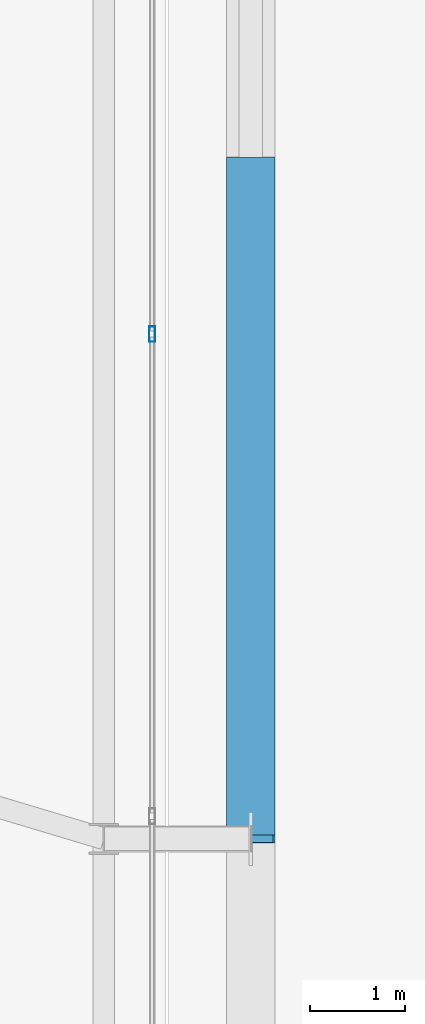
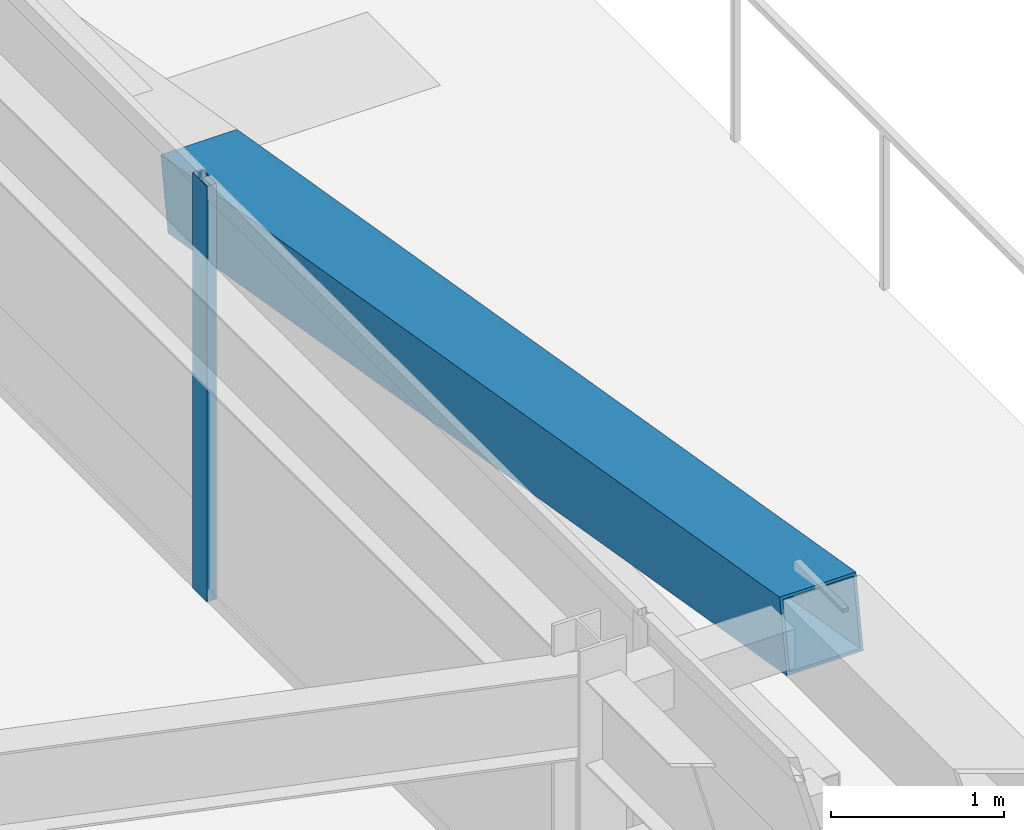
# One storey, part 36 of 56: 2 members, 1 element without a shape of its own.
"""IFC4 building model written with IfcOpenShell, lengths in metres."""

import ifcopenshell
import ifcopenshell.guid

model = None  # the IFC model being written
_history = None  # IfcOwnerHistory: only IFC2X3 demands one
_inside = {}  # id of a spatial element -> (the spatial element, [elements in it])
_under = {}  # id of a project, library or spatial element -> (it, [spatial elements below it])
_declared = {}  # id of a project -> (the project, [libraries it declares])
_typed = {}  # id of a type object -> (the type object, [elements of that type])
_made_of = {}  # id of a material, layer set ... -> (it, [elements and type objects made of it])


def new_model(schema):
    """Start an empty IFC model of exactly this schema.

    Asked for "IFC4X3", IfcOpenShell would pick the latest addendum, in which some entities
    have other attributes; the version numbers below select the first issue.
    IFC2X3 requires an IfcOwnerHistory on every rooted entity: one is made here for all.
    """
    global model, _history
    if schema == "IFC4X3":
        model = ifcopenshell.file(schema_version=(4, 3, 0, 0))
    else:
        model = ifcopenshell.file(schema=schema)
    _inside.clear()
    _under.clear()
    _declared.clear()
    _typed.clear()
    _made_of.clear()
    _history = None
    if model.schema == "IFC2X3":
        org = make("IfcOrganization", Name="unknown")
        user = make(
            "IfcPersonAndOrganization",
            ThePerson=make("IfcPerson", FamilyName="unknown"),
            TheOrganization=org,
        )
        app = make(
            "IfcApplication",
            ApplicationDeveloper=org,
            Version="unknown",
            ApplicationFullName="unknown",
            ApplicationIdentifier="unknown",
        )
        _history = make(
            "IfcOwnerHistory",
            OwningUser=user,
            OwningApplication=app,
            ChangeAction="ADDED",
            CreationDate=0,
        )
    return model


def make(cls, **values):
    """One entity of the class cls with the attributes given. An attribute that is None is left unset."""
    return model.create_entity(
        cls, **{name: value for name, value in values.items() if value is not None}
    )


def rooted(cls, **values):
    """An entity with a GlobalId (a new one), such as an element, a storey or a relation."""
    return make(cls, GlobalId=ifcopenshell.guid.new(), OwnerHistory=_history, **values)


def si_unit(unit_type, name, prefix=None):
    """IfcSIUnit, for example si_unit("LENGTHUNIT", "METRE", prefix="MILLI")."""
    return make("IfcSIUnit", UnitType=unit_type, Prefix=prefix, Name=name)


def assignment(units):
    """IfcUnitAssignment: the units of a project."""
    return None if units is None else make("IfcUnitAssignment", Units=units)


def point(xyz):
    """IfcCartesianPoint."""
    return None if xyz is None else make("IfcCartesianPoint", Coordinates=xyz)


def direction(xyz):
    """IfcDirection."""
    return None if xyz is None else make("IfcDirection", DirectionRatios=xyz)


def frame(location, z_axis=None, x_axis=None):
    """IfcAxis2Placement3D, a coordinate frame: its origin and axes. An axis left out is left unset."""
    return make(
        "IfcAxis2Placement3D",
        Location=point(location),
        Axis=direction(z_axis),
        RefDirection=direction(x_axis),
    )


def frame_2d(location, x_axis=None):
    """IfcAxis2Placement2D, a coordinate frame in the plane: its origin and x axis."""
    return make(
        "IfcAxis2Placement2D", Location=point(location), RefDirection=direction(x_axis)
    )


def origin():
    """The frame at (0, 0, 0) with its axes left unset."""
    return frame((0.0, 0.0, 0.0))


def origin_2d():
    """The frame at (0, 0) in the plane with its x axis left unset."""
    return frame_2d((0.0, 0.0))


def place(relative_to, where):
    """IfcLocalPlacement: puts the frame where relative to a parent placement (None: the world)."""
    return make(
        "IfcLocalPlacement", PlacementRelTo=relative_to, RelativePlacement=where
    )


def context(
    kind, dimensions, precision=None, world=None, true_north=None, identifier=None
):
    """IfcGeometricRepresentationContext, for example the 3D "Model" context."""
    return make(
        "IfcGeometricRepresentationContext",
        ContextIdentifier=identifier,
        ContextType=kind,
        CoordinateSpaceDimension=dimensions,
        Precision=precision,
        WorldCoordinateSystem=world,
        TrueNorth=true_north,
    )


def subcontext(parent, identifier, kind, view, scale=None):
    """IfcGeometricRepresentationSubContext, for example "Body" below "Model"."""
    return make(
        "IfcGeometricRepresentationSubContext",
        ContextIdentifier=identifier,
        ContextType=kind,
        ParentContext=parent,
        TargetScale=scale,
        TargetView=view,
    )


def project(units=None, contexts=None):
    """IfcProject with its units and contexts."""
    return rooted(
        "IfcProject",
        Name="project",
        RepresentationContexts=contexts,
        UnitsInContext=assignment(units),
    )


def spatial(cls, under=None, at=None, **own):
    """A site, building, storey or space (cls), placed at a placement, below another one or the project."""
    s = rooted(cls, ObjectPlacement=at, **own)
    if under is not None:
        _under.setdefault(under.id(), (under, []))[1].append(s)
    return s


def profile(cls, at=None, kind="AREA", **sizes):
    """A parametric profile (cls). Its sizes go by their IFC names, for example OverallWidth=200.0."""
    return make(cls, ProfileType=kind, Position=at, **sizes)


def hollow_rectangle(**sizes):
    """IfcRectangleHollowProfileDef."""
    return profile("IfcRectangleHollowProfileDef", **sizes)


def extrude(swept, where, along, depth):
    """IfcExtrudedAreaSolid: the profile swept, set in the frame where, extruded along a direction by depth."""
    return make(
        "IfcExtrudedAreaSolid",
        SweptArea=swept,
        Position=where,
        ExtrudedDirection=direction(along),
        Depth=depth,
    )


def shape(context_of_items, identifier, shape_type, items):
    """IfcShapeRepresentation: the items that make up one representation, for example the "Body"."""
    return make(
        "IfcShapeRepresentation",
        ContextOfItems=context_of_items,
        RepresentationIdentifier=identifier,
        RepresentationType=shape_type,
        Items=items,
    )


def source(mapping_origin, context_of_items, identifier, shape_type, items):
    """IfcRepresentationMap: a shape defined once, which mapped items show again and again."""
    return make(
        "IfcRepresentationMap",
        MappingOrigin=mapping_origin,
        MappedRepresentation=shape(context_of_items, identifier, shape_type, items),
    )


def transform(
    local_origin,
    x_axis=None,
    y_axis=None,
    z_axis=None,
    scale=None,
    scale2=None,
    scale3=None,
    uniform=True,
):
    """IfcCartesianTransformationOperator3D, or its non-uniform kind. x_axis, y_axis, z_axis: its Axis1, 2, 3."""
    if uniform:
        return make(
            "IfcCartesianTransformationOperator3D",
            Axis1=direction(x_axis),
            Axis2=direction(y_axis),
            LocalOrigin=point(local_origin),
            Scale=scale,
            Axis3=direction(z_axis),
        )
    return make(
        "IfcCartesianTransformationOperator3DnonUniform",
        Axis1=direction(x_axis),
        Axis2=direction(y_axis),
        LocalOrigin=point(local_origin),
        Scale=scale,
        Axis3=direction(z_axis),
        Scale2=scale2,
        Scale3=scale3,
    )


def mapped(mapping_source, mapping_target):
    """IfcMappedItem: shows the shape of a source again, moved by a transform."""
    return make(
        "IfcMappedItem", MappingSource=mapping_source, MappingTarget=mapping_target
    )


def material(Name=None, Category=None):
    """IfcMaterial."""
    return make("IfcMaterial", Name=Name, Category=Category)


def layer(
    of_material, thickness, ventilated=None, Name=None, Category=None, Priority=None
):
    """IfcMaterialLayer: one layer of a wall or slab, of a material (None: an air gap)."""
    return make(
        "IfcMaterialLayer",
        Material=of_material,
        LayerThickness=thickness,
        IsVentilated=ventilated,
        Name=Name,
        Category=Category,
        Priority=Priority,
    )


def layer_set(layers, Name=None):
    """IfcMaterialLayerSet."""
    return make("IfcMaterialLayerSet", MaterialLayers=layers, LayerSetName=Name)


def material_profile(
    of_material, cross_section, Name=None, Category=None, Priority=None
):
    """IfcMaterialProfile: a cross section and its material."""
    return make(
        "IfcMaterialProfile",
        Name=Name,
        Material=of_material,
        Profile=cross_section,
        Priority=Priority,
        Category=Category,
    )


def profile_set(profiles, Name=None, composite=None):
    """IfcMaterialProfileSet."""
    return make(
        "IfcMaterialProfileSet",
        Name=Name,
        MaterialProfiles=profiles,
        CompositeProfile=composite,
    )


def made_of(thing, what):
    """Note that an element or type object is made of a material, layer set ...; save() writes the relation."""
    if what is not None:
        _made_of.setdefault(what.id(), (what, []))[1].append(thing)
    return thing


def type_object(cls, material=None, **own):
    """A type object (cls), such as IfcWallType, which elements share."""
    return made_of(rooted(cls, **own), material)


def element(
    cls,
    number,
    at=None,
    inside=None,
    cuts=None,
    type_object=None,
    material=None,
    context=None,
    identifier="Body",
    shape_type=None,
    held_by="IfcProductDefinitionShape",
    body=None,
    shapes=None,
    **own,
):
    """One element of the class cls, such as IfcWall. Its Tag is "e" and its number.

    at: its placement. inside: the storey or other place that contains it. cuts: it is an
    opening in that element (IfcRelVoidsElement). A single representation is given by context,
    identifier, shape_type and body (its items); several are given by shapes. held_by: the class
    of the entity that holds the representations. save() writes the other relations.
    """
    e = rooted(cls, Tag="e%d" % number, ObjectPlacement=at, **own)
    if body is not None:
        shapes = [shape(context, identifier, shape_type, body)]
    if shapes is not None:
        e.Representation = make(held_by, Representations=shapes)
    if inside is not None:
        _inside.setdefault(inside.id(), (inside, []))[1].append(e)
    if cuts is not None:
        rooted(
            "IfcRelVoidsElement", RelatingBuildingElement=cuts, RelatedOpeningElement=e
        )
    if type_object is not None:
        _typed.setdefault(type_object.id(), (type_object, []))[1].append(e)
    return made_of(e, material)


def aggregate(whole, parts):
    """IfcRelAggregates: a whole, such as a stair, and the parts it consists of."""
    return rooted("IfcRelAggregates", RelatingObject=whole, RelatedObjects=parts)


def save(model, path):
    """Write the relations noted so far, then the file.

    IfcRelAggregates (storeys below a building ...), IfcRelContainedInSpatialStructure (elements
    in a storey), IfcRelDefinesByType, IfcRelAssociatesMaterial and IfcRelDeclares: one each for
    every whole, place, type object, material and project.
    """
    for whole, parts in _under.values():
        aggregate(whole, parts)
    for where, things in _inside.values():
        rooted(
            "IfcRelContainedInSpatialStructure",
            RelatedElements=things,
            RelatingStructure=where,
        )
    for kind, things in _typed.values():
        rooted("IfcRelDefinesByType", RelatedObjects=things, RelatingType=kind)
    for what, things in _made_of.values():
        rooted("IfcRelAssociatesMaterial", RelatedObjects=things, RelatingMaterial=what)
    for by, libraries in _declared.values():
        rooted("IfcRelDeclares", RelatingContext=by, RelatedDefinitions=libraries)
    model.write(path)


model = new_model("IFC4")

# Units and contexts
model_context = context("Model", 3, precision=1e-05, world=origin(), true_north=direction((0.0, 1.0)))
body_context = subcontext(model_context, "Body", "Model", "MODEL_VIEW")
ifc_project = project(units=[si_unit("LENGTHUNIT", "METRE"), si_unit("AREAUNIT", "SQUARE_METRE"), si_unit("VOLUMEUNIT", "CUBIC_METRE"), si_unit("PLANEANGLEUNIT", "RADIAN"), si_unit("MASSUNIT", "GRAM", prefix="KILO")], contexts=[model_context])

# Site, building, storey
site_placement = place(None, origin())
site = spatial("IfcSite", under=ifc_project, at=site_placement, CompositionType="ELEMENT")
building_placement = place(site_placement, origin())
building = spatial("IfcBuilding", under=site, at=building_placement, Name="Taldren Reach Tower", CompositionType="ELEMENT")
storey_placement = place(building_placement, frame((0.0, 0.0, 16.800048828125)))
storey = spatial("IfcBuildingStorey", under=building, at=storey_placement, Name="L04", CompositionType="ELEMENT", Elevation=16.800048828125)

# Member
ifc_material_1 = material(Name="Steel Gr 450 (C450L0)", Category="steel")
ifc_material_profile_1 = material_profile(ifc_material_1, hollow_rectangle(XDim=0.510009765625, YDim=0.510009765625, WallThickness=0.02001953125, at=origin_2d()), Name="510x510x20.0SHS")
ifc_profile_set_1 = profile_set([ifc_material_profile_1], Name="Steel Gr 450 (C450L0)")
member_type_1 = type_object("IfcMemberType", Name="MB-EXO508", PredefinedType="BRACE", material=ifc_profile_set_1)
shared_shape_1 = source(origin(), body_context, "Body", "SweptSolid", [
    extrude(hollow_rectangle(XDim=0.510009765625, YDim=0.510009765625, WallThickness=0.02001953125, at=origin_2d()), origin(), (0.0, 0.0, 1.0), 7.25244140625),
])
member_1_placement = place(storey_placement, frame((65.89990234375, 27.14990234375, 1.43505859375), z_axis=(0.0, -0.985870415536, 0.167509772168), x_axis=(1.0, 0.0, 0.0)))
element("IfcMember", 1, at=member_1_placement, inside=storey, type_object=member_type_1, Name="Exoskeleton Diagrid Brace B1-E2 L04", PredefinedType="BRACE", context=body_context, shape_type="MappedRepresentation", body=[
    mapped(shared_shape_1, transform((0.0, 0.0, 0.0), scale=1.0)),
])

# Curtain wall, member
ifc_material_2 = material(Name="Aluminium and Low-E Glass Unitised System", Category="aluminium")
ifc_layer = layer(ifc_material_2, 0.159912109375)
ifc_layer_set = layer_set([ifc_layer], Name="Aluminium and Low-E Glass Unitised System")
curtain_wall_type = type_object("IfcCurtainWallType", Name="CW-SYS-2", PredefinedType="NOTDEFINED", material=ifc_layer_set)
curtain_wall_placement = place(storey_placement, origin())
curtain_wall = element("IfcCurtainWall", 2, at=curtain_wall_placement, inside=storey, type_object=curtain_wall_type, Name="Unitised curtain wall CW-L04-E2", PredefinedType="NOTDEFINED")
ifc_material_3 = material(Name="Anodised Aluminium 6063-T6", Category="aluminium")
ifc_material_profile_2 = material_profile(ifc_material_3, hollow_rectangle(XDim=0.06494140625, YDim=0.1650390625, WallThickness=0.00390625, at=origin_2d()), Name="ALU-165x65x4RHS")
ifc_profile_set_2 = profile_set([ifc_material_profile_2], Name="Anodised Aluminium 6063-T6")
member_type_2 = type_object("IfcMemberType", Name="CW-MUL-165", PredefinedType="MULLION", material=ifc_profile_set_2)
shared_shape_2 = source(origin(), body_context, "Body", "SweptSolid", [
    extrude(hollow_rectangle(XDim=0.06494140625, YDim=0.1650390625, WallThickness=0.00390625, at=origin_2d()), origin(), (0.0, 0.0, 1.0), 2.929931640625),
])
member_2_placement = place(storey_placement, frame((64.860107421875, 25.324951171875, 0.0), z_axis=(0.0, 0.0, 1.0), x_axis=(-1.0, 0.0, 0.0)))
member_2 = element("IfcMember", 3, at=member_2_placement, type_object=member_type_2, Name="CW-2 mullion 3", PredefinedType="MULLION", context=body_context, shape_type="MappedRepresentation", body=[
    mapped(shared_shape_2, transform((0.0, 0.0, 0.0), scale=1.0)),
])
aggregate(curtain_wall, [member_2])

save(model, "model.ifc")
